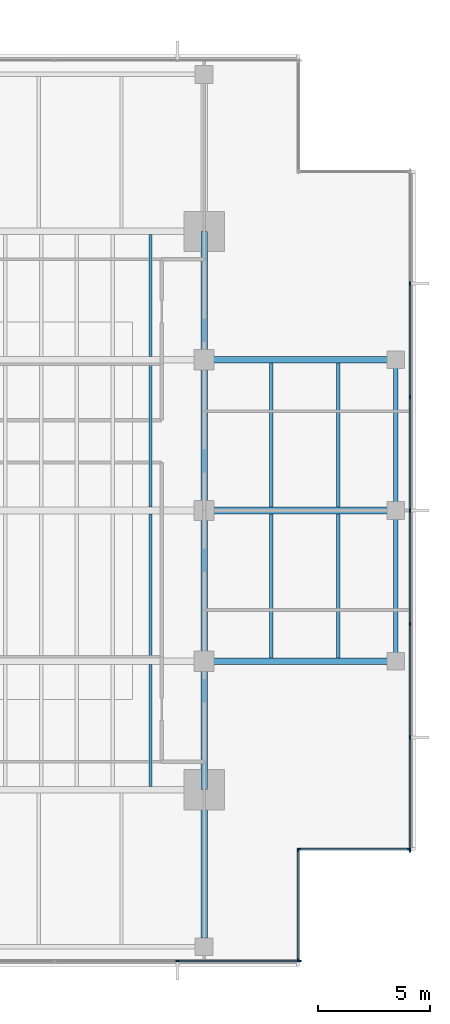
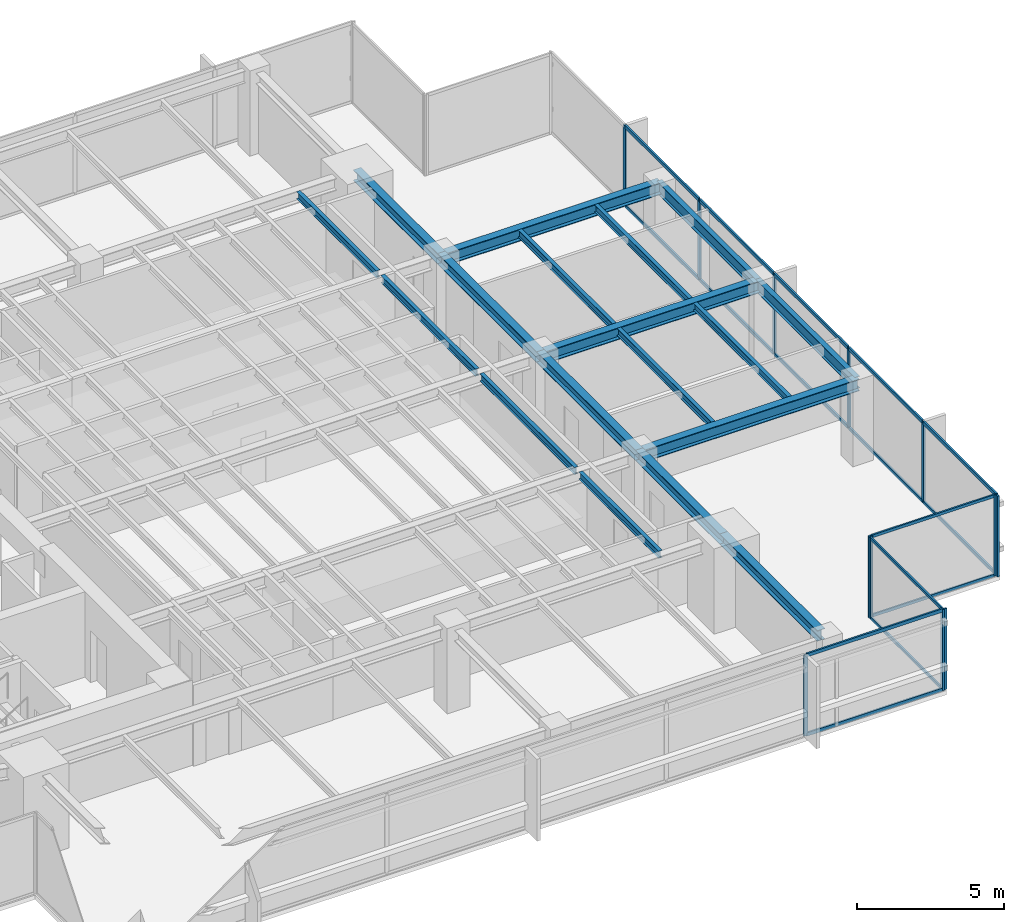
# One storey, part 4 of 14: 28 members, 18 beams, 4 elements without a shape of their own.
"""IFC4 building model written with IfcOpenShell, lengths in metres."""

from ifc_helpers import new_model, si_unit, direction, frame, origin, origin_2d, place, context, subcontext, project, spatial, rectangle, i_section, extrude, material, layer, layer_set, material_profile, profile_set, type_object, element, aggregate, save


model = new_model("IFC4")

# Units and contexts
model_context = context("Model", 3, precision=1e-05, world=origin(), true_north=direction((0.0, 1.0)))
body_context = subcontext(model_context, "Body", "Model", "MODEL_VIEW")
ifc_project = project(units=[si_unit("LENGTHUNIT", "METRE"), si_unit("AREAUNIT", "SQUARE_METRE"), si_unit("VOLUMEUNIT", "CUBIC_METRE"), si_unit("PLANEANGLEUNIT", "RADIAN"), si_unit("MASSUNIT", "GRAM", prefix="KILO")], contexts=[model_context])

# Site, building, storey
site_placement = place(None, origin())
site = spatial("IfcSite", under=ifc_project, at=site_placement, CompositionType="ELEMENT")
building_placement = place(site_placement, origin())
building = spatial("IfcBuilding", under=site, at=building_placement, Name="Kinhvarn Gate Tower", CompositionType="ELEMENT")
storey_placement = place(building_placement, frame((0.0, 0.0, 209.35009765625)))
storey = spatial("IfcBuildingStorey", under=building, at=storey_placement, Name="L55", CompositionType="ELEMENT", Elevation=209.35009765625)

# Curtain wall, members
ifc_material_1 = material(Name="Anodised aluminium AW-6063", Category="aluminium")
ifc_layer_1 = layer(ifc_material_1, 0.179931640625)
ifc_layer_set_1 = layer_set([ifc_layer_1], Name="Anodised aluminium AW-6063")
curtain_wall_type_1 = type_object("IfcCurtainWallType", Name="CW-SYS-3", PredefinedType="NOTDEFINED", material=ifc_layer_set_1)
curtain_wall_1_placement = place(storey_placement, origin())
curtain_wall_1 = element("IfcCurtainWall", 1, at=curtain_wall_1_placement, inside=storey, type_object=curtain_wall_type_1, Name="Curtain Wall CW3 (L55)", PredefinedType="NOTDEFINED")
ifc_material_profile_1 = material_profile(ifc_material_1, rectangle(XDim=0.06494140625, YDim=0.159912109375, at=origin_2d()), Name="ALU 65x160")
ifc_profile_set_1 = profile_set([ifc_material_profile_1], Name="Anodised aluminium AW-6063")
member_type_1 = type_object("IfcMemberType", Name="CW-MUL-160", PredefinedType="MULLION", material=ifc_profile_set_1)
member_1_placement = place(storey_placement, frame((37.0, 5.090087890625, 0.0), z_axis=(0.0, 0.0, 1.0), x_axis=(0.0, 1.0, 0.0)))
member_1 = element("IfcMember", 2, at=member_1_placement, type_object=member_type_1, Name="CW3 mullion 6", PredefinedType="MULLION", context=body_context, shape_type="SweptSolid", body=[
    extrude(rectangle(XDim=0.06494140625, YDim=0.159912109375, at=origin_2d()), origin(), (0.0, 0.0, 1.0), 3.369873046875),
])
member_2_placement = place(storey_placement, frame((42.467529296875, 5.090087890625, 0.0), z_axis=(0.0, 0.0, 1.0), x_axis=(0.0, 1.0, 0.0)))
member_2 = element("IfcMember", 3, at=member_2_placement, type_object=member_type_1, Name="CW3 mullion 7", PredefinedType="MULLION", context=body_context, shape_type="SweptSolid", body=[
    extrude(rectangle(XDim=0.06494140625, YDim=0.159912109375, at=origin_2d()), origin(), (0.0, 0.0, 1.0), 3.369873046875),
])

curtain_wall_2_placement = place(storey_placement, origin())
curtain_wall_2 = element("IfcCurtainWall", 4, at=curtain_wall_2_placement, inside=storey, type_object=curtain_wall_type_1, Name="Curtain Wall CW3 (L55)", PredefinedType="NOTDEFINED")
member_3_placement = place(storey_placement, frame((47.409912109375, 10.032470703125, 0.0), z_axis=(0.0, 0.0, 1.0), x_axis=(-1.0, 0.0, 0.0)))
member_3 = element("IfcMember", 5, at=member_3_placement, type_object=member_type_1, Name="CW3 mullion 1", PredefinedType="MULLION", context=body_context, shape_type="SweptSolid", body=[
    extrude(rectangle(XDim=0.06494140625, YDim=0.159912109375, at=origin_2d()), origin(), (0.0, 0.0, 1.0), 3.369873046875),
])
member_4_placement = place(storey_placement, frame((47.409912109375, 15.083251953125, 0.0), z_axis=(0.0, 0.0, 1.0), x_axis=(-1.0, 0.0, 0.0)))
member_4 = element("IfcMember", 6, at=member_4_placement, type_object=member_type_1, Name="CW3 mullion 2", PredefinedType="MULLION", context=body_context, shape_type="SweptSolid", body=[
    extrude(rectangle(XDim=0.06494140625, YDim=0.159912109375, at=origin_2d()), origin(), (0.0, 0.0, 1.0), 3.369873046875),
])
member_5_placement = place(storey_placement, frame((47.409912109375, 20.166748046875, 0.0), z_axis=(0.0, 0.0, 1.0), x_axis=(-1.0, 0.0, 0.0)))
member_5 = element("IfcMember", 7, at=member_5_placement, type_object=member_type_1, Name="CW3 mullion 3", PredefinedType="MULLION", context=body_context, shape_type="SweptSolid", body=[
    extrude(rectangle(XDim=0.06494140625, YDim=0.159912109375, at=origin_2d()), origin(), (0.0, 0.0, 1.0), 3.369873046875),
])
member_6_placement = place(storey_placement, frame((47.409912109375, 25.25, 0.0), z_axis=(0.0, 0.0, 1.0), x_axis=(-1.0, 0.0, 0.0)))
member_6 = element("IfcMember", 8, at=member_6_placement, type_object=member_type_1, Name="CW3 mullion 4", PredefinedType="MULLION", context=body_context, shape_type="SweptSolid", body=[
    extrude(rectangle(XDim=0.06494140625, YDim=0.159912109375, at=origin_2d()), origin(), (0.0, 0.0, 1.0), 3.369873046875),
])
member_7_placement = place(storey_placement, frame((47.409912109375, 30.333251953125, 0.0), z_axis=(0.0, 0.0, 1.0), x_axis=(-1.0, 0.0, 0.0)))
member_7 = element("IfcMember", 9, at=member_7_placement, type_object=member_type_1, Name="CW3 mullion 5", PredefinedType="MULLION", context=body_context, shape_type="SweptSolid", body=[
    extrude(rectangle(XDim=0.06494140625, YDim=0.159912109375, at=origin_2d()), origin(), (0.0, 0.0, 1.0), 3.369873046875),
])
member_8_placement = place(storey_placement, frame((47.409912109375, 35.416748046875, 0.0), z_axis=(0.0, 0.0, 1.0), x_axis=(-1.0, 0.0, 0.0)))
member_8 = element("IfcMember", 10, at=member_8_placement, type_object=member_type_1, Name="CW3 mullion 6", PredefinedType="MULLION", context=body_context, shape_type="SweptSolid", body=[
    extrude(rectangle(XDim=0.06494140625, YDim=0.159912109375, at=origin_2d()), origin(), (0.0, 0.0, 1.0), 3.369873046875),
])

ifc_layer_2 = layer(ifc_material_1, 0.179931640625)
ifc_layer_set_2 = layer_set([ifc_layer_2], Name="Anodised aluminium AW-6063")
curtain_wall_type_2 = type_object("IfcCurtainWallType", Name="CW-SYS-4", PredefinedType="NOTDEFINED", material=ifc_layer_set_2)
curtain_wall_3_placement = place(storey_placement, origin())
curtain_wall_3 = element("IfcCurtainWall", 11, at=curtain_wall_3_placement, inside=storey, type_object=curtain_wall_type_2, Name="Curtain Wall CW4 (L55)", PredefinedType="NOTDEFINED")
member_9_placement = place(storey_placement, frame((42.409912109375, 5.12255859375, 0.0), z_axis=(0.0, 0.0, 1.0), x_axis=(-1.0, 0.0, 0.0)))
member_9 = element("IfcMember", 12, at=member_9_placement, type_object=member_type_1, Name="CW4 mullion 1", PredefinedType="MULLION", context=body_context, shape_type="SweptSolid", body=[
    extrude(rectangle(XDim=0.06494140625, YDim=0.159912109375, at=origin_2d()), origin(), (0.0, 0.0, 1.0), 3.369873046875),
])
member_10_placement = place(storey_placement, frame((42.409912109375, 10.0576171875, 0.0), z_axis=(0.0, 0.0, 1.0), x_axis=(-1.0, 0.0, 0.0)))
member_10 = element("IfcMember", 13, at=member_10_placement, type_object=member_type_1, Name="CW4 mullion 2", PredefinedType="MULLION", context=body_context, shape_type="SweptSolid", body=[
    extrude(rectangle(XDim=0.06494140625, YDim=0.159912109375, at=origin_2d()), origin(), (0.0, 0.0, 1.0), 3.369873046875),
])

curtain_wall_4_placement = place(storey_placement, origin())
curtain_wall_4 = element("IfcCurtainWall", 14, at=curtain_wall_4_placement, inside=storey, type_object=curtain_wall_type_2, Name="Curtain Wall CW4 (L55)", PredefinedType="NOTDEFINED")
member_11_placement = place(storey_placement, frame((42.4423828125, 10.090087890625, 0.0), z_axis=(0.0, 0.0, 1.0), x_axis=(0.0, 1.0, 0.0)))
member_11 = element("IfcMember", 15, at=member_11_placement, type_object=member_type_1, Name="CW4 mullion 1", PredefinedType="MULLION", context=body_context, shape_type="SweptSolid", body=[
    extrude(rectangle(XDim=0.06494140625, YDim=0.159912109375, at=origin_2d()), origin(), (0.0, 0.0, 1.0), 3.369873046875),
])
member_12_placement = place(storey_placement, frame((47.37744140625, 10.090087890625, 0.0), z_axis=(0.0, 0.0, 1.0), x_axis=(0.0, 1.0, 0.0)))
member_12 = element("IfcMember", 16, at=member_12_placement, type_object=member_type_1, Name="CW4 mullion 2", PredefinedType="MULLION", context=body_context, shape_type="SweptSolid", body=[
    extrude(rectangle(XDim=0.06494140625, YDim=0.159912109375, at=origin_2d()), origin(), (0.0, 0.0, 1.0), 3.369873046875),
])

# Member
ifc_material_profile_2 = material_profile(ifc_material_1, rectangle(XDim=0.06494140625, YDim=0.1201171875, at=origin_2d()), Name="ALU 65x120")
ifc_profile_set_2 = profile_set([ifc_material_profile_2], Name="Anodised aluminium AW-6063")
member_type_2 = type_object("IfcMemberType", Name="CW-TRN-120", PredefinedType="USERDEFINED", material=ifc_profile_set_2)
member_13_placement = place(storey_placement, frame((42.409912109375, 5.155029296875, 0.032470703125), z_axis=(0.0, 1.0, 0.0), x_axis=(-1.0, 0.0, 0.0)))
member_13 = element("IfcMember", 17, at=member_13_placement, type_object=member_type_2, Name="CW4 transom 1.1", ObjectType="TRANSOM", PredefinedType="USERDEFINED", context=body_context, shape_type="SweptSolid", body=[
    extrude(rectangle(XDim=0.06494140625, YDim=0.1201171875, at=origin_2d()), origin(), (0.0, 0.0, 1.0), 4.869873046875),
])

member_14_placement = place(storey_placement, frame((42.409912109375, 5.155029296875, 3.33740234375), z_axis=(0.0, 1.0, 0.0), x_axis=(-1.0, 0.0, 0.0)))
member_14 = element("IfcMember", 18, at=member_14_placement, type_object=member_type_2, Name="CW4 transom 1.2", ObjectType="TRANSOM", PredefinedType="USERDEFINED", context=body_context, shape_type="SweptSolid", body=[
    extrude(rectangle(XDim=0.06494140625, YDim=0.1201171875, at=origin_2d()), origin(), (0.0, 0.0, 1.0), 4.869873046875),
])

aggregate(curtain_wall_3, [member_9, member_10, member_13, member_14])

member_15_placement = place(storey_placement, frame((42.47509765625, 10.090087890625, 0.032470703125), z_axis=(1.0, 0.0, 0.0), x_axis=(0.0, 1.0, 0.0)))
member_15 = element("IfcMember", 19, at=member_15_placement, type_object=member_type_2, Name="CW4 transom 1.1", ObjectType="TRANSOM", PredefinedType="USERDEFINED", context=body_context, shape_type="SweptSolid", body=[
    extrude(rectangle(XDim=0.06494140625, YDim=0.1201171875, at=origin_2d()), origin(), (0.0, 0.0, 1.0), 4.869873046875),
])

member_16_placement = place(storey_placement, frame((42.47509765625, 10.090087890625, 3.33740234375), z_axis=(1.0, 0.0, 0.0), x_axis=(0.0, 1.0, 0.0)))
member_16 = element("IfcMember", 20, at=member_16_placement, type_object=member_type_2, Name="CW4 transom 1.2", ObjectType="TRANSOM", PredefinedType="USERDEFINED", context=body_context, shape_type="SweptSolid", body=[
    extrude(rectangle(XDim=0.06494140625, YDim=0.1201171875, at=origin_2d()), origin(), (0.0, 0.0, 1.0), 4.869873046875),
])

aggregate(curtain_wall_4, [member_11, member_12, member_15, member_16])

ifc_material_profile_3 = material_profile(ifc_material_1, rectangle(XDim=0.070068359375, YDim=0.139892578125, at=origin_2d()), Name="ALU 70x140")
ifc_profile_set_3 = profile_set([ifc_material_profile_3], Name="Anodised aluminium AW-6063")
member_type_3 = type_object("IfcMemberType", Name="CW-TRN-140", PredefinedType="USERDEFINED", material=ifc_profile_set_3)
member_17_placement = place(storey_placement, frame((37.032470703125, 5.090087890625, 0.034912109375), z_axis=(1.0, 0.0, 0.0), x_axis=(0.0, 1.0, 0.0)))
member_17 = element("IfcMember", 21, at=member_17_placement, type_object=member_type_3, Name="CW3 transom 6.1", ObjectType="TRANSOM", PredefinedType="USERDEFINED", context=body_context, shape_type="SweptSolid", body=[
    extrude(rectangle(XDim=0.070068359375, YDim=0.139892578125, at=origin_2d()), origin(), (0.0, 0.0, 1.0), 5.402587890625),
])

member_18_placement = place(storey_placement, frame((37.032470703125, 5.090087890625, 3.3349609375), z_axis=(1.0, 0.0, 0.0), x_axis=(0.0, 1.0, 0.0)))
member_18 = element("IfcMember", 22, at=member_18_placement, type_object=member_type_3, Name="CW3 transom 6.2", ObjectType="TRANSOM", PredefinedType="USERDEFINED", context=body_context, shape_type="SweptSolid", body=[
    extrude(rectangle(XDim=0.070068359375, YDim=0.139892578125, at=origin_2d()), origin(), (0.0, 0.0, 1.0), 5.402587890625),
])

aggregate(curtain_wall_1, [member_1, member_2, member_17, member_18])

member_19_placement = place(storey_placement, frame((47.409912109375, 10.06494140625, 0.034912109375), z_axis=(0.0, 1.0, 0.0), x_axis=(-1.0, 0.0, 0.0)))
member_19 = element("IfcMember", 23, at=member_19_placement, type_object=member_type_3, Name="CW3 transom 1.1", ObjectType="TRANSOM", PredefinedType="USERDEFINED", context=body_context, shape_type="SweptSolid", body=[
    extrude(rectangle(XDim=0.070068359375, YDim=0.139892578125, at=origin_2d()), origin(), (0.0, 0.0, 1.0), 4.98583984375),
])

member_20_placement = place(storey_placement, frame((47.409912109375, 10.06494140625, 3.3349609375), z_axis=(0.0, 1.0, 0.0), x_axis=(-1.0, 0.0, 0.0)))
member_20 = element("IfcMember", 24, at=member_20_placement, type_object=member_type_3, Name="CW3 transom 1.2", ObjectType="TRANSOM", PredefinedType="USERDEFINED", context=body_context, shape_type="SweptSolid", body=[
    extrude(rectangle(XDim=0.070068359375, YDim=0.139892578125, at=origin_2d()), origin(), (0.0, 0.0, 1.0), 4.98583984375),
])

member_21_placement = place(storey_placement, frame((47.409912109375, 15.11572265625, 0.034912109375), z_axis=(0.0, 1.0, 0.0), x_axis=(-1.0, 0.0, 0.0)))
member_21 = element("IfcMember", 25, at=member_21_placement, type_object=member_type_3, Name="CW3 transom 2.1", ObjectType="TRANSOM", PredefinedType="USERDEFINED", context=body_context, shape_type="SweptSolid", body=[
    extrude(rectangle(XDim=0.070068359375, YDim=0.139892578125, at=origin_2d()), origin(), (0.0, 0.0, 1.0), 5.0185546875),
])

member_22_placement = place(storey_placement, frame((47.409912109375, 15.11572265625, 3.3349609375), z_axis=(0.0, 1.0, 0.0), x_axis=(-1.0, 0.0, 0.0)))
member_22 = element("IfcMember", 26, at=member_22_placement, type_object=member_type_3, Name="CW3 transom 2.2", ObjectType="TRANSOM", PredefinedType="USERDEFINED", context=body_context, shape_type="SweptSolid", body=[
    extrude(rectangle(XDim=0.070068359375, YDim=0.139892578125, at=origin_2d()), origin(), (0.0, 0.0, 1.0), 5.0185546875),
])

member_23_placement = place(storey_placement, frame((47.409912109375, 20.19921875, 0.034912109375), z_axis=(0.0, 1.0, 0.0), x_axis=(-1.0, 0.0, 0.0)))
member_23 = element("IfcMember", 27, at=member_23_placement, type_object=member_type_3, Name="CW3 transom 3.1", ObjectType="TRANSOM", PredefinedType="USERDEFINED", context=body_context, shape_type="SweptSolid", body=[
    extrude(rectangle(XDim=0.070068359375, YDim=0.139892578125, at=origin_2d()), origin(), (0.0, 0.0, 1.0), 5.018310546875),
])

member_24_placement = place(storey_placement, frame((47.409912109375, 20.19921875, 3.3349609375), z_axis=(0.0, 1.0, 0.0), x_axis=(-1.0, 0.0, 0.0)))
member_24 = element("IfcMember", 28, at=member_24_placement, type_object=member_type_3, Name="CW3 transom 3.2", ObjectType="TRANSOM", PredefinedType="USERDEFINED", context=body_context, shape_type="SweptSolid", body=[
    extrude(rectangle(XDim=0.070068359375, YDim=0.139892578125, at=origin_2d()), origin(), (0.0, 0.0, 1.0), 5.018310546875),
])

member_25_placement = place(storey_placement, frame((47.409912109375, 25.282470703125, 0.034912109375), z_axis=(0.0, 1.0, 0.0), x_axis=(-1.0, 0.0, 0.0)))
member_25 = element("IfcMember", 29, at=member_25_placement, type_object=member_type_3, Name="CW3 transom 4.1", ObjectType="TRANSOM", PredefinedType="USERDEFINED", context=body_context, shape_type="SweptSolid", body=[
    extrude(rectangle(XDim=0.070068359375, YDim=0.139892578125, at=origin_2d()), origin(), (0.0, 0.0, 1.0), 5.018310546875),
])

member_26_placement = place(storey_placement, frame((47.409912109375, 25.282470703125, 3.3349609375), z_axis=(0.0, 1.0, 0.0), x_axis=(-1.0, 0.0, 0.0)))
member_26 = element("IfcMember", 30, at=member_26_placement, type_object=member_type_3, Name="CW3 transom 4.2", ObjectType="TRANSOM", PredefinedType="USERDEFINED", context=body_context, shape_type="SweptSolid", body=[
    extrude(rectangle(XDim=0.070068359375, YDim=0.139892578125, at=origin_2d()), origin(), (0.0, 0.0, 1.0), 5.018310546875),
])

member_27_placement = place(storey_placement, frame((47.409912109375, 30.36572265625, 0.034912109375), z_axis=(0.0, 1.0, 0.0), x_axis=(-1.0, 0.0, 0.0)))
member_27 = element("IfcMember", 31, at=member_27_placement, type_object=member_type_3, Name="CW3 transom 5.1", ObjectType="TRANSOM", PredefinedType="USERDEFINED", context=body_context, shape_type="SweptSolid", body=[
    extrude(rectangle(XDim=0.070068359375, YDim=0.139892578125, at=origin_2d()), origin(), (0.0, 0.0, 1.0), 5.0185546875),
])

member_28_placement = place(storey_placement, frame((47.409912109375, 30.36572265625, 3.3349609375), z_axis=(0.0, 1.0, 0.0), x_axis=(-1.0, 0.0, 0.0)))
member_28 = element("IfcMember", 32, at=member_28_placement, type_object=member_type_3, Name="CW3 transom 5.2", ObjectType="TRANSOM", PredefinedType="USERDEFINED", context=body_context, shape_type="SweptSolid", body=[
    extrude(rectangle(XDim=0.070068359375, YDim=0.139892578125, at=origin_2d()), origin(), (0.0, 0.0, 1.0), 5.0185546875),
])

aggregate(curtain_wall_2, [member_3, member_4, member_5, member_6, member_7, member_8, member_19, member_20, member_21, member_22, member_23, member_24, member_25, member_26, member_27, member_28])

# Beams
ifc_material_2 = material(Name="Steel S355", Category="steel")
ifc_material_profile_4 = material_profile(ifc_material_2, i_section(OverallWidth=0.300048828125, OverallDepth=0.449951171875, WebThickness=0.013916015625, FlangeThickness=0.02587890625, at=origin_2d()), Name="HEB 450")
ifc_profile_set_4 = profile_set([ifc_material_profile_4], Name="Steel S355")
beam_type_1 = type_object("IfcBeamType", Name="STL-HEB450", PredefinedType="BEAM", material=ifc_profile_set_4)
beam_1_placement = place(storey_placement, frame((38.199951171875, 6.10498046875, 3.14501953125), z_axis=(0.0, 1.0, 0.0), x_axis=(-1.0, 0.0, 0.0)))
element("IfcBeam", 33, at=beam_1_placement, inside=storey, type_object=beam_type_1, Name="Floor Beam PG-13 (L55 MCE-S)", PredefinedType="BEAM", context=body_context, shape_type="SweptSolid", body=[
    extrude(i_section(OverallWidth=0.300048828125, OverallDepth=0.449951171875, WebThickness=0.013916015625, FlangeThickness=0.02587890625, at=origin_2d()), origin(), (0.0, 0.0, 1.0), 6.64501953125),
])
beam_2_placement = place(storey_placement, frame((38.199951171875, 12.75, 3.14501953125), z_axis=(0.0, 1.0, 0.0), x_axis=(-1.0, 0.0, 0.0)))
element("IfcBeam", 34, at=beam_2_placement, inside=storey, type_object=beam_type_1, Name="Floor Beam PG-13 (L55 MG-E-12)", PredefinedType="BEAM", context=body_context, shape_type="SweptSolid", body=[
    extrude(i_section(OverallWidth=0.300048828125, OverallDepth=0.449951171875, WebThickness=0.013916015625, FlangeThickness=0.02587890625, at=origin_2d()), origin(), (0.0, 0.0, 1.0), 5.75),
])
for number, where, z_axis, x_axis, name in (
    (35, (38.199951171875, 18.5, 3.14501953125), (0.0, 1.0, 0.0), (-1.0, 0.0, 0.0), "Floor Beam PG-13 (L55 MG-E-18)"),
    (36, (38.199951171875, 25.25, 3.14501953125), (0.0, 1.0, 0.0), (-1.0, 0.0, 0.0), "Floor Beam PG-13 (L55 MG-E-25)"),
):
    element("IfcBeam", number, at=place(storey_placement, frame(where, z_axis=z_axis, x_axis=x_axis)), inside=storey, type_object=beam_type_1, Name=name, PredefinedType="BEAM", context=body_context, shape_type="SweptSolid", body=[
        extrude(i_section(OverallWidth=0.300048828125, OverallDepth=0.449951171875, WebThickness=0.013916015625, FlangeThickness=0.02587890625, at=origin_2d()), origin(), (0.0, 0.0, 1.0), 6.75),
    ])
beam_3_placement = place(storey_placement, frame((38.199951171875, 32.0, 3.14501953125), z_axis=(0.0, 1.0, 0.0), x_axis=(-1.0, 0.0, 0.0)))
element("IfcBeam", 37, at=beam_3_placement, inside=storey, type_object=beam_type_1, Name="Floor Beam PG-13 (L55 MG-E-32)", PredefinedType="BEAM", context=body_context, shape_type="SweptSolid", body=[
    extrude(i_section(OverallWidth=0.300048828125, OverallDepth=0.449951171875, WebThickness=0.013916015625, FlangeThickness=0.02587890625, at=origin_2d()), origin(), (0.0, 0.0, 1.0), 5.75),
])
ifc_material_profile_5 = material_profile(ifc_material_2, i_section(OverallWidth=0.300048828125, OverallDepth=0.5, WebThickness=0.014404296875, FlangeThickness=0.028076171875, at=origin_2d()), Name="HEB 500")
ifc_profile_set_5 = profile_set([ifc_material_profile_5], Name="Steel S355")
beam_type_2 = type_object("IfcBeamType", Name="STL-HEB500", PredefinedType="BEAM", material=ifc_profile_set_5)
for number, where, z_axis, x_axis, name in (
    (38, (38.199951171875, 18.5, 3.119873046875), (1.0, 0.0, 0.0), (0.0, 1.0, 0.0), "Floor Beam PG-14 (L55 EW2-Y18)"),
    (39, (38.199951171875, 25.25, 3.119873046875), (1.0, 0.0, 0.0), (0.0, 1.0, 0.0), "Floor Beam PG-14 (L55 EW2-Y25)"),
    (40, (38.199951171875, 32.0, 3.119873046875), (1.0, 0.0, 0.0), (0.0, 1.0, 0.0), "Floor Beam PG-14 (L55 EW2-Y32)"),
):
    element("IfcBeam", number, at=place(storey_placement, frame(where, z_axis=z_axis, x_axis=x_axis)), inside=storey, type_object=beam_type_2, Name=name, PredefinedType="BEAM", context=body_context, shape_type="SweptSolid", body=[
        extrude(i_section(OverallWidth=0.300048828125, OverallDepth=0.5, WebThickness=0.014404296875, FlangeThickness=0.028076171875, at=origin_2d()), origin(), (0.0, 0.0, 1.0), 8.580078125),
    ])
ifc_material_profile_6 = material_profile(ifc_material_2, i_section(OverallWidth=0.14990234375, OverallDepth=0.300048828125, WebThickness=0.007080078125, FlangeThickness=0.0107421875, at=origin_2d()), Name="IPE 300")
ifc_profile_set_6 = profile_set([ifc_material_profile_6], Name="Steel S355")
beam_type_3 = type_object("IfcBeamType", Name="STL-IPE300", PredefinedType="JOIST", material=ifc_profile_set_6)
beam_4_placement = place(storey_placement, frame((35.800048828125, 12.89990234375, 3.219970703125), z_axis=(0.0, 1.0, 0.0), x_axis=(-1.0, 0.0, 0.0)))
element("IfcBeam", 41, at=beam_4_placement, inside=storey, type_object=beam_type_3, Name="Floor Joist SB-02 (L55 JC-X358-0)", PredefinedType="JOIST", context=body_context, shape_type="SweptSolid", body=[
    extrude(i_section(OverallWidth=0.14990234375, OverallDepth=0.300048828125, WebThickness=0.007080078125, FlangeThickness=0.0107421875, at=origin_2d()), origin(), (0.0, 0.0, 1.0), 5.4501953125),
])
for number, where, z_axis, x_axis, name in (
    (42, (35.800048828125, 18.64990234375, 3.219970703125), (0.0, 1.0, 0.0), (-1.0, 0.0, 0.0), "Floor Joist SB-02 (L55 JC-X358-1)"),
    (43, (35.800048828125, 25.39990234375, 3.219970703125), (0.0, 1.0, 0.0), (-1.0, 0.0, 0.0), "Floor Joist SB-02 (L55 JC-X358-2)"),
):
    element("IfcBeam", number, at=place(storey_placement, frame(where, z_axis=z_axis, x_axis=x_axis)), inside=storey, type_object=beam_type_3, Name=name, PredefinedType="JOIST", context=body_context, shape_type="SweptSolid", body=[
        extrude(i_section(OverallWidth=0.14990234375, OverallDepth=0.300048828125, WebThickness=0.007080078125, FlangeThickness=0.0107421875, at=origin_2d()), origin(), (0.0, 0.0, 1.0), 6.4501953125),
    ])
beam_5_placement = place(storey_placement, frame((35.800048828125, 32.14990234375, 3.219970703125), z_axis=(0.0, 1.0, 0.0), x_axis=(-1.0, 0.0, 0.0)))
element("IfcBeam", 44, at=beam_5_placement, inside=storey, type_object=beam_type_3, Name="Floor Joist SB-02 (L55 JC-X358-3)", PredefinedType="JOIST", context=body_context, shape_type="SweptSolid", body=[
    extrude(i_section(OverallWidth=0.14990234375, OverallDepth=0.300048828125, WebThickness=0.007080078125, FlangeThickness=0.0107421875, at=origin_2d()), origin(), (0.0, 0.0, 1.0), 5.4501953125),
])
for number, where, z_axis, x_axis, name in (
    (45, (41.199951171875, 18.64990234375, 3.219970703125), (0.0, 1.0, 0.0), (-1.0, 0.0, 0.0), "Floor Joist SB-02 (L55 JC-X412-1)"),
    (46, (41.199951171875, 25.39990234375, 3.219970703125), (0.0, 1.0, 0.0), (-1.0, 0.0, 0.0), "Floor Joist SB-02 (L55 JC-X412-2)"),
    (47, (44.2099609375, 18.64990234375, 3.219970703125), (0.0, 1.0, 0.0), (-1.0, 0.0, 0.0), "Floor Joist SB-02 (L55 JC-X442-1)"),
    (48, (44.2099609375, 25.39990234375, 3.219970703125), (0.0, 1.0, 0.0), (-1.0, 0.0, 0.0), "Floor Joist SB-02 (L55 JC-X442-2)"),
):
    element("IfcBeam", number, at=place(storey_placement, frame(where, z_axis=z_axis, x_axis=x_axis)), inside=storey, type_object=beam_type_3, Name=name, PredefinedType="JOIST", context=body_context, shape_type="SweptSolid", body=[
        extrude(i_section(OverallWidth=0.14990234375, OverallDepth=0.300048828125, WebThickness=0.007080078125, FlangeThickness=0.0107421875, at=origin_2d()), origin(), (0.0, 0.0, 1.0), 6.4501953125),
    ])
ifc_material_profile_7 = material_profile(ifc_material_2, i_section(OverallWidth=0.199951171875, OverallDepth=0.5, WebThickness=0.01025390625, FlangeThickness=0.01611328125, at=origin_2d()), Name="IPE 500")
ifc_profile_set_7 = profile_set([ifc_material_profile_7], Name="Steel S355")
beam_type_4 = type_object("IfcBeamType", Name="STL-IPE500", PredefinedType="SPANDREL", material=ifc_profile_set_7)
for number, where, z_axis, x_axis, name in (
    (49, (46.780029296875, 18.5, 3.119873046875), (0.0, 1.0, 0.0), (-1.0, 0.0, 0.0), "Floor Spandrel SB-07 (L55 SP-E2)"),
    (50, (46.780029296875, 25.25, 3.119873046875), (0.0, 1.0, 0.0), (-1.0, 0.0, 0.0), "Floor Spandrel SB-07 (L55 SP-E3)"),
):
    element("IfcBeam", number, at=place(storey_placement, frame(where, z_axis=z_axis, x_axis=x_axis)), inside=storey, type_object=beam_type_4, Name=name, PredefinedType="SPANDREL", context=body_context, shape_type="SweptSolid", body=[
        extrude(i_section(OverallWidth=0.199951171875, OverallDepth=0.5, WebThickness=0.01025390625, FlangeThickness=0.01611328125, at=origin_2d()), origin(), (0.0, 0.0, 1.0), 6.75),
    ])

save(model, "model.ifc")
